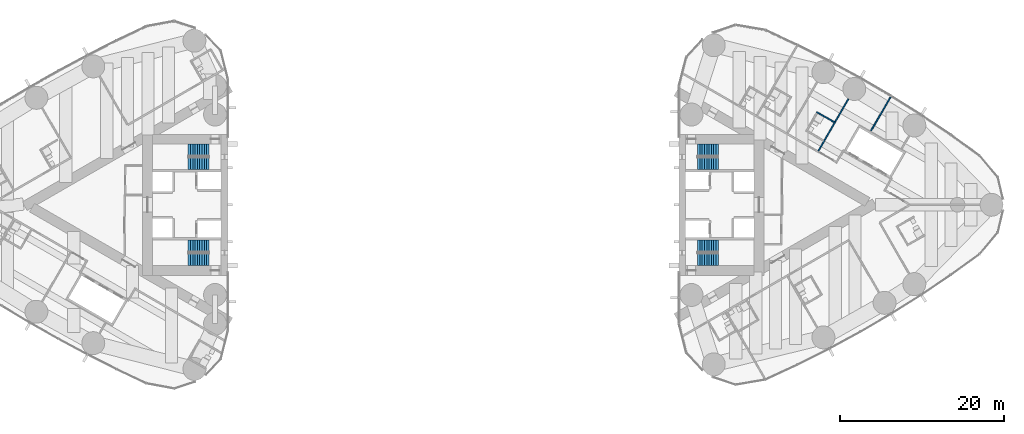
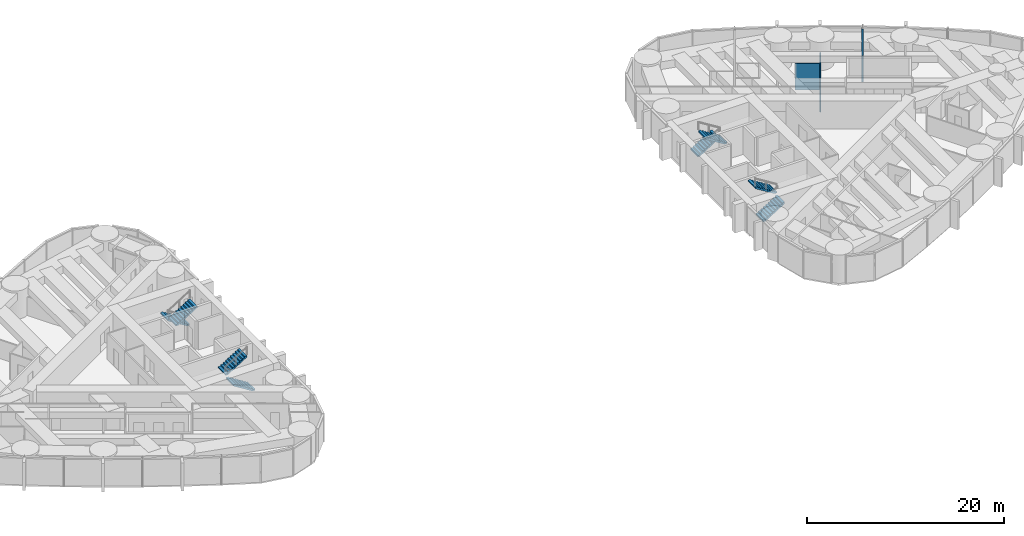
# One storey, part 16 of 18: 8 stair flights, 3 walls, 4 elements without a shape of their own.
"""IFC4 building model written with IfcOpenShell, lengths in metres."""

from ifc_helpers import new_model, si_unit, direction, frame, frame_2d, origin, place, context, subcontext, project, spatial, polyline, rectangle, outline, extrude, material, layer, layer_set, type_object, element, aggregate, save


model = new_model("IFC4")

# Units and contexts
model_context = context("Model", 3, precision=1e-05, world=origin(), true_north=direction((0.0, 1.0)))
body_context = subcontext(model_context, "Body", "Model", "MODEL_VIEW")
ifc_project = project(units=[si_unit("LENGTHUNIT", "METRE"), si_unit("AREAUNIT", "SQUARE_METRE"), si_unit("VOLUMEUNIT", "CUBIC_METRE"), si_unit("PLANEANGLEUNIT", "RADIAN"), si_unit("MASSUNIT", "GRAM", prefix="KILO")], contexts=[model_context])

# Site, building, storey
site_placement = place(None, origin())
site = spatial("IfcSite", under=ifc_project, at=site_placement, CompositionType="ELEMENT")
building_placement = place(site_placement, origin())
building = spatial("IfcBuilding", under=site, at=building_placement, Name="Lancet Gate Hotel", CompositionType="ELEMENT")
storey_placement = place(building_placement, frame((0.0, 0.0, 187.800048828125)))
storey = spatial("IfcBuildingStorey", under=building, at=storey_placement, Name="L50", CompositionType="ELEMENT", Elevation=187.800048828125)

# Walls
ifc_material_1 = material(Name="Moisture resistant board partition")
ifc_layer_1 = layer(ifc_material_1, 0.14990234375)
ifc_layer_set_1 = layer_set([ifc_layer_1], Name="Bathroom wall 150")
wall_type_1 = type_object("IfcWallType", Name="Bathroom wall 150", PredefinedType="PARTITIONING", material=ifc_layer_set_1)
wall_1_placement = place(storey_placement, frame((44.31298828125, 11.309814453125, 0.0), z_axis=(0.0, 0.0, 1.0), x_axis=(0.866031185235, -0.4999899861, 0.0)))
element("IfcWall", 1, at=wall_1_placement, inside=storey, type_object=wall_type_1, Name="T2 bathroom wall 150 L50", PredefinedType="PARTITIONING", context=body_context, shape_type="SweptSolid", body=[
    extrude(rectangle(XDim=2.47509765625, YDim=0.14990234375, at=frame_2d((1.237548828125, 0.0))), origin(), (0.0, 0.0, 1.0), 3.25),
])
ifc_material_2 = material(Name="Gypsum board partition")
ifc_layer_2 = layer(ifc_material_2, 0.14990234375)
ifc_layer_set_2 = layer_set([ifc_layer_2], Name="Party wall 150")
wall_type_2 = type_object("IfcWallType", Name="Party wall 150", PredefinedType="PARTITIONING", material=ifc_layer_set_2)
wall_2_placement = place(storey_placement, frame((44.521484375, 6.57080078125, 0.0), z_axis=(0.0, 0.0, 1.0), x_axis=(0.500020376429, 0.866013639128, 0.0)))
element("IfcWall", 2, at=wall_2_placement, inside=storey, type_object=wall_type_2, Name="T2 party wall 150 L50", PredefinedType="PARTITIONING", context=body_context, shape_type="SweptSolid", body=[
    extrude(rectangle(XDim=7.306396484375, YDim=0.14990234375, at=frame_2d((3.6533203125, 0.0))), origin(), (0.0, 0.0, 1.0), 2.300048828125),
])
wall_3_placement = place(storey_placement, frame((50.949951171875, 9.037353515625, 0.0), z_axis=(0.0, 0.0, 1.0), x_axis=(0.499988022762, 0.866032318735, 0.0)))
element("IfcWall", 3, at=wall_3_placement, inside=storey, type_object=wall_type_2, Name="T2 party wall 150 L50", PredefinedType="PARTITIONING", context=body_context, shape_type="SweptSolid", body=[
    extrude(rectangle(XDim=4.748046875, YDim=0.14990234375, at=frame_2d((2.3740234375, 0.0))), origin(), (0.0, 0.0, 1.0), 3.25),
])

# Stair, stair flights
ifc_material_3 = material(Name="Exit stair 20 risers 1500")
stair_type = type_object("IfcStairType", Name="Exit stair 20 risers 1500", PredefinedType="HALF_TURN_STAIR", material=ifc_material_3)
stair_1_placement = place(storey_placement, origin())
stair_1 = element("IfcStair", 4, at=stair_1_placement, inside=storey, type_object=stair_type, Name="T1 stair 1 L50", PredefinedType="HALF_TURN_STAIR")
ifc_material_4 = material(Name="Stair flight 10 risers 175 rise 1500")
stair_flight_type = type_object("IfcStairFlightType", Name="Stair flight 10 risers 175 rise 1500", PredefinedType="STRAIGHT", material=ifc_material_4)
stair_flight_1_placement = place(storey_placement, frame((-29.800048828125, 6.64990234375, 0.0), z_axis=(0.0, 0.0, 1.0), x_axis=(-1.0, 0.0, 0.0)))
stair_flight_1 = element("IfcStairFlight", 5, at=stair_flight_1_placement, type_object=stair_flight_type, Name="ST1 flight 1", NumberOfRisers=10, NumberOfTreads=9, PredefinedType="STRAIGHT", RiserHeight=0.175, TreadLength=0.28, context=body_context, shape_type="SweptSolid", body=[
    extrude(outline(polyline([(0.0, 0.0), (0.0, 0.175048828125), (0.280029296875, 0.175048828125), (0.280029296875, 0.35009765625), (0.56005859375, 0.35009765625), (0.56005859375, 0.52490234375), (0.840087890625, 0.52490234375), (0.840087890625, 0.699951171875), (1.1201171875, 0.699951171875), (1.1201171875, 0.875), (1.39990234375, 0.875), (1.39990234375, 1.050048828125), (1.679931640625, 1.050048828125), (1.679931640625, 1.22509765625), (1.9599609375, 1.22509765625), (1.9599609375, 1.39990234375), (2.239990234375, 1.39990234375), (2.239990234375, 1.574951171875), (2.52001953125, 1.574951171875), (2.52001953125, 1.75), (2.52001953125, 1.398193359375), (0.28271484375, 0.0), (0.0, 0.0)])), frame((0.0, 0.75, 0.0), z_axis=(0.0, -1.0, 0.0), x_axis=(1.0, 0.0, 0.0)), (0.0, 0.0, 1.0), 1.5),
])
stair_flight_2_placement = place(storey_placement, frame((-32.320068359375, 5.050048828125, 1.75), z_axis=(0.0, 0.0, 1.0), x_axis=(1.0, 0.0, 0.0)))
stair_flight_2 = element("IfcStairFlight", 6, at=stair_flight_2_placement, type_object=stair_flight_type, Name="ST1 flight 2", NumberOfRisers=10, NumberOfTreads=9, PredefinedType="STRAIGHT", RiserHeight=0.175, TreadLength=0.28, context=body_context, shape_type="SweptSolid", body=[
    extrude(outline(polyline([(0.0, 0.0), (0.0, 0.175048828125), (0.280029296875, 0.175048828125), (0.280029296875, 0.35009765625), (0.56005859375, 0.35009765625), (0.56005859375, 0.52490234375), (0.840087890625, 0.52490234375), (0.840087890625, 0.699951171875), (1.1201171875, 0.699951171875), (1.1201171875, 0.875), (1.39990234375, 0.875), (1.39990234375, 1.050048828125), (1.679931640625, 1.050048828125), (1.679931640625, 1.22509765625), (1.9599609375, 1.22509765625), (1.9599609375, 1.39990234375), (2.239990234375, 1.39990234375), (2.239990234375, 1.574951171875), (2.52001953125, 1.574951171875), (2.52001953125, 1.75), (2.52001953125, 1.398193359375), (0.28271484375, 0.0), (0.0, 0.0)])), frame((0.0, 0.75, 0.0), z_axis=(0.0, -1.0, 0.0), x_axis=(1.0, 0.0, 0.0)), (0.0, 0.0, 1.0), 1.5),
])
aggregate(stair_1, [stair_flight_1, stair_flight_2])

stair_2_placement = place(storey_placement, origin())
stair_2 = element("IfcStair", 7, at=stair_2_placement, inside=storey, type_object=stair_type, Name="T1 stair 2 L50", PredefinedType="HALF_TURN_STAIR")
stair_flight_3_placement = place(storey_placement, frame((-29.800048828125, -6.64990234375, 0.0), z_axis=(0.0, 0.0, 1.0), x_axis=(-1.0, 0.0, 0.0)))
stair_flight_3 = element("IfcStairFlight", 8, at=stair_flight_3_placement, type_object=stair_flight_type, Name="ST2 flight 1", NumberOfRisers=10, NumberOfTreads=9, PredefinedType="STRAIGHT", RiserHeight=0.175, TreadLength=0.28, context=body_context, shape_type="SweptSolid", body=[
    extrude(outline(polyline([(0.0, 0.0), (0.0, 0.175048828125), (0.280029296875, 0.175048828125), (0.280029296875, 0.35009765625), (0.56005859375, 0.35009765625), (0.56005859375, 0.52490234375), (0.840087890625, 0.52490234375), (0.840087890625, 0.699951171875), (1.1201171875, 0.699951171875), (1.1201171875, 0.875), (1.39990234375, 0.875), (1.39990234375, 1.050048828125), (1.679931640625, 1.050048828125), (1.679931640625, 1.22509765625), (1.9599609375, 1.22509765625), (1.9599609375, 1.39990234375), (2.239990234375, 1.39990234375), (2.239990234375, 1.574951171875), (2.52001953125, 1.574951171875), (2.52001953125, 1.75), (2.52001953125, 1.398193359375), (0.28271484375, 0.0), (0.0, 0.0)])), frame((0.0, 0.75, 0.0), z_axis=(0.0, -1.0, 0.0), x_axis=(1.0, 0.0, 0.0)), (0.0, 0.0, 1.0), 1.5),
])
stair_flight_4_placement = place(storey_placement, frame((-32.320068359375, -5.050048828125, 1.75), z_axis=(0.0, 0.0, 1.0), x_axis=(1.0, 0.0, 0.0)))
stair_flight_4 = element("IfcStairFlight", 9, at=stair_flight_4_placement, type_object=stair_flight_type, Name="ST2 flight 2", NumberOfRisers=10, NumberOfTreads=9, PredefinedType="STRAIGHT", RiserHeight=0.175, TreadLength=0.28, context=body_context, shape_type="SweptSolid", body=[
    extrude(outline(polyline([(0.0, 0.0), (0.0, 0.175048828125), (0.280029296875, 0.175048828125), (0.280029296875, 0.35009765625), (0.56005859375, 0.35009765625), (0.56005859375, 0.52490234375), (0.840087890625, 0.52490234375), (0.840087890625, 0.699951171875), (1.1201171875, 0.699951171875), (1.1201171875, 0.875), (1.39990234375, 0.875), (1.39990234375, 1.050048828125), (1.679931640625, 1.050048828125), (1.679931640625, 1.22509765625), (1.9599609375, 1.22509765625), (1.9599609375, 1.39990234375), (2.239990234375, 1.39990234375), (2.239990234375, 1.574951171875), (2.52001953125, 1.574951171875), (2.52001953125, 1.75), (2.52001953125, 1.398193359375), (0.28271484375, 0.0), (0.0, 0.0)])), frame((0.0, 0.75, 0.0), z_axis=(0.0, -1.0, 0.0), x_axis=(1.0, 0.0, 0.0)), (0.0, 0.0, 1.0), 1.5),
])
aggregate(stair_2, [stair_flight_3, stair_flight_4])

stair_3_placement = place(storey_placement, origin())
stair_3 = element("IfcStair", 10, at=stair_3_placement, inside=storey, type_object=stair_type, Name="T2 stair 1 L50", PredefinedType="HALF_TURN_STAIR")
stair_flight_5_placement = place(storey_placement, frame((29.800048828125, -6.64990234375, 0.0), z_axis=(0.0, 0.0, 1.0), x_axis=(1.0, 0.0, 0.0)))
stair_flight_5 = element("IfcStairFlight", 11, at=stair_flight_5_placement, type_object=stair_flight_type, Name="ST3 flight 1", NumberOfRisers=10, NumberOfTreads=9, PredefinedType="STRAIGHT", RiserHeight=0.175, TreadLength=0.28, context=body_context, shape_type="SweptSolid", body=[
    extrude(outline(polyline([(0.0, 0.0), (0.0, 0.175048828125), (0.280029296875, 0.175048828125), (0.280029296875, 0.35009765625), (0.56005859375, 0.35009765625), (0.56005859375, 0.52490234375), (0.840087890625, 0.52490234375), (0.840087890625, 0.699951171875), (1.1201171875, 0.699951171875), (1.1201171875, 0.875), (1.39990234375, 0.875), (1.39990234375, 1.050048828125), (1.679931640625, 1.050048828125), (1.679931640625, 1.22509765625), (1.9599609375, 1.22509765625), (1.9599609375, 1.39990234375), (2.239990234375, 1.39990234375), (2.239990234375, 1.574951171875), (2.52001953125, 1.574951171875), (2.52001953125, 1.75), (2.52001953125, 1.398193359375), (0.28271484375, 0.0), (0.0, 0.0)])), frame((0.0, 0.75, 0.0), z_axis=(0.0, -1.0, 0.0), x_axis=(1.0, 0.0, 0.0)), (0.0, 0.0, 1.0), 1.5),
])
stair_flight_6_placement = place(storey_placement, frame((32.320068359375, -5.050048828125, 1.75), z_axis=(0.0, 0.0, 1.0), x_axis=(-1.0, 0.0, 0.0)))
stair_flight_6 = element("IfcStairFlight", 12, at=stair_flight_6_placement, type_object=stair_flight_type, Name="ST3 flight 2", NumberOfRisers=10, NumberOfTreads=9, PredefinedType="STRAIGHT", RiserHeight=0.175, TreadLength=0.28, context=body_context, shape_type="SweptSolid", body=[
    extrude(outline(polyline([(0.0, 0.0), (0.0, 0.175048828125), (0.280029296875, 0.175048828125), (0.280029296875, 0.35009765625), (0.56005859375, 0.35009765625), (0.56005859375, 0.52490234375), (0.840087890625, 0.52490234375), (0.840087890625, 0.699951171875), (1.1201171875, 0.699951171875), (1.1201171875, 0.875), (1.39990234375, 0.875), (1.39990234375, 1.050048828125), (1.679931640625, 1.050048828125), (1.679931640625, 1.22509765625), (1.9599609375, 1.22509765625), (1.9599609375, 1.39990234375), (2.239990234375, 1.39990234375), (2.239990234375, 1.574951171875), (2.52001953125, 1.574951171875), (2.52001953125, 1.75), (2.52001953125, 1.398193359375), (0.28271484375, 0.0), (0.0, 0.0)])), frame((0.0, 0.75, 0.0), z_axis=(0.0, -1.0, 0.0), x_axis=(1.0, 0.0, 0.0)), (0.0, 0.0, 1.0), 1.5),
])
aggregate(stair_3, [stair_flight_5, stair_flight_6])

stair_4_placement = place(storey_placement, origin())
stair_4 = element("IfcStair", 13, at=stair_4_placement, inside=storey, type_object=stair_type, Name="T2 stair 2 L50", PredefinedType="HALF_TURN_STAIR")
stair_flight_7_placement = place(storey_placement, frame((29.800048828125, 6.64990234375, 0.0), z_axis=(0.0, 0.0, 1.0), x_axis=(1.0, 0.0, 0.0)))
stair_flight_7 = element("IfcStairFlight", 14, at=stair_flight_7_placement, type_object=stair_flight_type, Name="ST4 flight 1", NumberOfRisers=10, NumberOfTreads=9, PredefinedType="STRAIGHT", RiserHeight=0.175, TreadLength=0.28, context=body_context, shape_type="SweptSolid", body=[
    extrude(outline(polyline([(0.0, 0.0), (0.0, 0.175048828125), (0.280029296875, 0.175048828125), (0.280029296875, 0.35009765625), (0.56005859375, 0.35009765625), (0.56005859375, 0.52490234375), (0.840087890625, 0.52490234375), (0.840087890625, 0.699951171875), (1.1201171875, 0.699951171875), (1.1201171875, 0.875), (1.39990234375, 0.875), (1.39990234375, 1.050048828125), (1.679931640625, 1.050048828125), (1.679931640625, 1.22509765625), (1.9599609375, 1.22509765625), (1.9599609375, 1.39990234375), (2.239990234375, 1.39990234375), (2.239990234375, 1.574951171875), (2.52001953125, 1.574951171875), (2.52001953125, 1.75), (2.52001953125, 1.398193359375), (0.28271484375, 0.0), (0.0, 0.0)])), frame((0.0, 0.75, 0.0), z_axis=(0.0, -1.0, 0.0), x_axis=(1.0, 0.0, 0.0)), (0.0, 0.0, 1.0), 1.5),
])
stair_flight_8_placement = place(storey_placement, frame((32.320068359375, 5.050048828125, 1.75), z_axis=(0.0, 0.0, 1.0), x_axis=(-1.0, 0.0, 0.0)))
stair_flight_8 = element("IfcStairFlight", 15, at=stair_flight_8_placement, type_object=stair_flight_type, Name="ST4 flight 2", NumberOfRisers=10, NumberOfTreads=9, PredefinedType="STRAIGHT", RiserHeight=0.175, TreadLength=0.28, context=body_context, shape_type="SweptSolid", body=[
    extrude(outline(polyline([(0.0, 0.0), (0.0, 0.175048828125), (0.280029296875, 0.175048828125), (0.280029296875, 0.35009765625), (0.56005859375, 0.35009765625), (0.56005859375, 0.52490234375), (0.840087890625, 0.52490234375), (0.840087890625, 0.699951171875), (1.1201171875, 0.699951171875), (1.1201171875, 0.875), (1.39990234375, 0.875), (1.39990234375, 1.050048828125), (1.679931640625, 1.050048828125), (1.679931640625, 1.22509765625), (1.9599609375, 1.22509765625), (1.9599609375, 1.39990234375), (2.239990234375, 1.39990234375), (2.239990234375, 1.574951171875), (2.52001953125, 1.574951171875), (2.52001953125, 1.75), (2.52001953125, 1.398193359375), (0.28271484375, 0.0), (0.0, 0.0)])), frame((0.0, 0.75, 0.0), z_axis=(0.0, -1.0, 0.0), x_axis=(1.0, 0.0, 0.0)), (0.0, 0.0, 1.0), 1.5),
])
aggregate(stair_4, [stair_flight_7, stair_flight_8])

save(model, "model.ifc")
